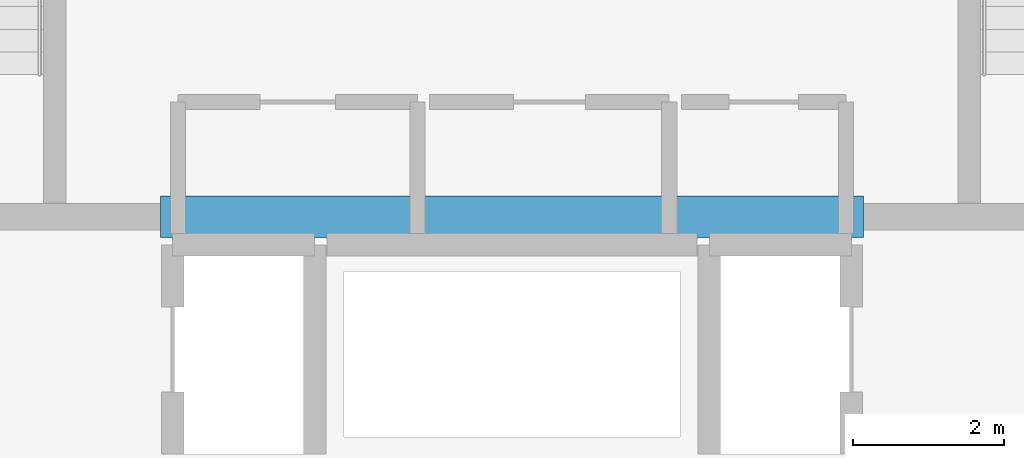
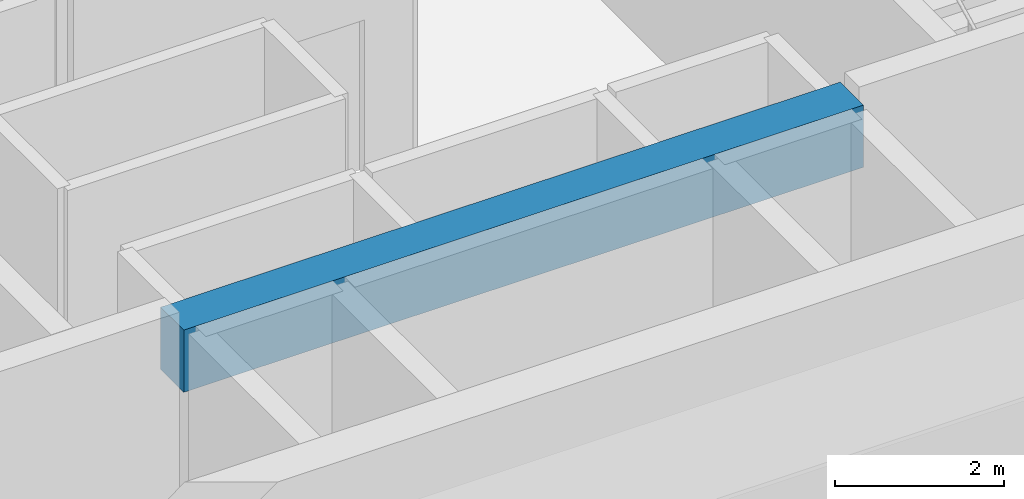
# One storey, part 10 of 41: 1 beam.
"""IFC4 building model written with IfcOpenShell, lengths in metres."""

import ifcopenshell
import ifcopenshell.guid

model = None  # the IFC model being written
_history = None  # IfcOwnerHistory: only IFC2X3 demands one
_inside = {}  # id of a spatial element -> (the spatial element, [elements in it])
_under = {}  # id of a project, library or spatial element -> (it, [spatial elements below it])
_declared = {}  # id of a project -> (the project, [libraries it declares])
_typed = {}  # id of a type object -> (the type object, [elements of that type])
_made_of = {}  # id of a material, layer set ... -> (it, [elements and type objects made of it])


def new_model(schema):
    """Start an empty IFC model of exactly this schema.

    Asked for "IFC4X3", IfcOpenShell would pick the latest addendum, in which some entities
    have other attributes; the version numbers below select the first issue.
    IFC2X3 requires an IfcOwnerHistory on every rooted entity: one is made here for all.
    """
    global model, _history
    if schema == "IFC4X3":
        model = ifcopenshell.file(schema_version=(4, 3, 0, 0))
    else:
        model = ifcopenshell.file(schema=schema)
    _inside.clear()
    _under.clear()
    _declared.clear()
    _typed.clear()
    _made_of.clear()
    _history = None
    if model.schema == "IFC2X3":
        org = make("IfcOrganization", Name="unknown")
        user = make(
            "IfcPersonAndOrganization",
            ThePerson=make("IfcPerson", FamilyName="unknown"),
            TheOrganization=org,
        )
        app = make(
            "IfcApplication",
            ApplicationDeveloper=org,
            Version="unknown",
            ApplicationFullName="unknown",
            ApplicationIdentifier="unknown",
        )
        _history = make(
            "IfcOwnerHistory",
            OwningUser=user,
            OwningApplication=app,
            ChangeAction="ADDED",
            CreationDate=0,
        )
    return model


def make(cls, **values):
    """One entity of the class cls with the attributes given. An attribute that is None is left unset."""
    return model.create_entity(
        cls, **{name: value for name, value in values.items() if value is not None}
    )


def rooted(cls, **values):
    """An entity with a GlobalId (a new one), such as an element, a storey or a relation."""
    return make(cls, GlobalId=ifcopenshell.guid.new(), OwnerHistory=_history, **values)


def si_unit(unit_type, name, prefix=None):
    """IfcSIUnit, for example si_unit("LENGTHUNIT", "METRE", prefix="MILLI")."""
    return make("IfcSIUnit", UnitType=unit_type, Prefix=prefix, Name=name)


def assignment(units):
    """IfcUnitAssignment: the units of a project."""
    return None if units is None else make("IfcUnitAssignment", Units=units)


def point(xyz):
    """IfcCartesianPoint."""
    return None if xyz is None else make("IfcCartesianPoint", Coordinates=xyz)


def direction(xyz):
    """IfcDirection."""
    return None if xyz is None else make("IfcDirection", DirectionRatios=xyz)


def frame(location, z_axis=None, x_axis=None):
    """IfcAxis2Placement3D, a coordinate frame: its origin and axes. An axis left out is left unset."""
    return make(
        "IfcAxis2Placement3D",
        Location=point(location),
        Axis=direction(z_axis),
        RefDirection=direction(x_axis),
    )


def frame_2d(location, x_axis=None):
    """IfcAxis2Placement2D, a coordinate frame in the plane: its origin and x axis."""
    return make(
        "IfcAxis2Placement2D", Location=point(location), RefDirection=direction(x_axis)
    )


def origin():
    """The frame at (0, 0, 0) with its axes left unset."""
    return frame((0.0, 0.0, 0.0))


def origin_2d():
    """The frame at (0, 0) in the plane with its x axis left unset."""
    return frame_2d((0.0, 0.0))


def place(relative_to, where):
    """IfcLocalPlacement: puts the frame where relative to a parent placement (None: the world)."""
    return make(
        "IfcLocalPlacement", PlacementRelTo=relative_to, RelativePlacement=where
    )


def context(
    kind, dimensions, precision=None, world=None, true_north=None, identifier=None
):
    """IfcGeometricRepresentationContext, for example the 3D "Model" context."""
    return make(
        "IfcGeometricRepresentationContext",
        ContextIdentifier=identifier,
        ContextType=kind,
        CoordinateSpaceDimension=dimensions,
        Precision=precision,
        WorldCoordinateSystem=world,
        TrueNorth=true_north,
    )


def subcontext(parent, identifier, kind, view, scale=None):
    """IfcGeometricRepresentationSubContext, for example "Body" below "Model"."""
    return make(
        "IfcGeometricRepresentationSubContext",
        ContextIdentifier=identifier,
        ContextType=kind,
        ParentContext=parent,
        TargetScale=scale,
        TargetView=view,
    )


def project(units=None, contexts=None):
    """IfcProject with its units and contexts."""
    return rooted(
        "IfcProject",
        Name="project",
        RepresentationContexts=contexts,
        UnitsInContext=assignment(units),
    )


def spatial(cls, under=None, at=None, **own):
    """A site, building, storey or space (cls), placed at a placement, below another one or the project."""
    s = rooted(cls, ObjectPlacement=at, **own)
    if under is not None:
        _under.setdefault(under.id(), (under, []))[1].append(s)
    return s


def profile(cls, at=None, kind="AREA", **sizes):
    """A parametric profile (cls). Its sizes go by their IFC names, for example OverallWidth=200.0."""
    return make(cls, ProfileType=kind, Position=at, **sizes)


def rectangle(**sizes):
    """IfcRectangleProfileDef."""
    return profile("IfcRectangleProfileDef", **sizes)


def extrude(swept, where, along, depth):
    """IfcExtrudedAreaSolid: the profile swept, set in the frame where, extruded along a direction by depth."""
    return make(
        "IfcExtrudedAreaSolid",
        SweptArea=swept,
        Position=where,
        ExtrudedDirection=direction(along),
        Depth=depth,
    )


def shape(context_of_items, identifier, shape_type, items):
    """IfcShapeRepresentation: the items that make up one representation, for example the "Body"."""
    return make(
        "IfcShapeRepresentation",
        ContextOfItems=context_of_items,
        RepresentationIdentifier=identifier,
        RepresentationType=shape_type,
        Items=items,
    )


def material(Name=None, Category=None):
    """IfcMaterial."""
    return make("IfcMaterial", Name=Name, Category=Category)


def material_profile(
    of_material, cross_section, Name=None, Category=None, Priority=None
):
    """IfcMaterialProfile: a cross section and its material."""
    return make(
        "IfcMaterialProfile",
        Name=Name,
        Material=of_material,
        Profile=cross_section,
        Priority=Priority,
        Category=Category,
    )


def profile_set(profiles, Name=None, composite=None):
    """IfcMaterialProfileSet."""
    return make(
        "IfcMaterialProfileSet",
        Name=Name,
        MaterialProfiles=profiles,
        CompositeProfile=composite,
    )


def made_of(thing, what):
    """Note that an element or type object is made of a material, layer set ...; save() writes the relation."""
    if what is not None:
        _made_of.setdefault(what.id(), (what, []))[1].append(thing)
    return thing


def type_object(cls, material=None, **own):
    """A type object (cls), such as IfcWallType, which elements share."""
    return made_of(rooted(cls, **own), material)


def element(
    cls,
    number,
    at=None,
    inside=None,
    cuts=None,
    type_object=None,
    material=None,
    context=None,
    identifier="Body",
    shape_type=None,
    held_by="IfcProductDefinitionShape",
    body=None,
    shapes=None,
    **own,
):
    """One element of the class cls, such as IfcWall. Its Tag is "e" and its number.

    at: its placement. inside: the storey or other place that contains it. cuts: it is an
    opening in that element (IfcRelVoidsElement). A single representation is given by context,
    identifier, shape_type and body (its items); several are given by shapes. held_by: the class
    of the entity that holds the representations. save() writes the other relations.
    """
    e = rooted(cls, Tag="e%d" % number, ObjectPlacement=at, **own)
    if body is not None:
        shapes = [shape(context, identifier, shape_type, body)]
    if shapes is not None:
        e.Representation = make(held_by, Representations=shapes)
    if inside is not None:
        _inside.setdefault(inside.id(), (inside, []))[1].append(e)
    if cuts is not None:
        rooted(
            "IfcRelVoidsElement", RelatingBuildingElement=cuts, RelatedOpeningElement=e
        )
    if type_object is not None:
        _typed.setdefault(type_object.id(), (type_object, []))[1].append(e)
    return made_of(e, material)


def aggregate(whole, parts):
    """IfcRelAggregates: a whole, such as a stair, and the parts it consists of."""
    return rooted("IfcRelAggregates", RelatingObject=whole, RelatedObjects=parts)


def save(model, path):
    """Write the relations noted so far, then the file.

    IfcRelAggregates (storeys below a building ...), IfcRelContainedInSpatialStructure (elements
    in a storey), IfcRelDefinesByType, IfcRelAssociatesMaterial and IfcRelDeclares: one each for
    every whole, place, type object, material and project.
    """
    for whole, parts in _under.values():
        aggregate(whole, parts)
    for where, things in _inside.values():
        rooted(
            "IfcRelContainedInSpatialStructure",
            RelatedElements=things,
            RelatingStructure=where,
        )
    for kind, things in _typed.values():
        rooted("IfcRelDefinesByType", RelatedObjects=things, RelatingType=kind)
    for what, things in _made_of.values():
        rooted("IfcRelAssociatesMaterial", RelatedObjects=things, RelatingMaterial=what)
    for by, libraries in _declared.values():
        rooted("IfcRelDeclares", RelatingContext=by, RelatedDefinitions=libraries)
    model.write(path)


model = new_model("IFC4")

# Units and contexts
model_context = context("Model", 3, precision=1e-05, world=origin(), true_north=direction((0.0, 1.0)))
body_context = subcontext(model_context, "Body", "Model", "MODEL_VIEW")
ifc_project = project(units=[si_unit("LENGTHUNIT", "METRE"), si_unit("AREAUNIT", "SQUARE_METRE"), si_unit("VOLUMEUNIT", "CUBIC_METRE"), si_unit("PLANEANGLEUNIT", "RADIAN"), si_unit("MASSUNIT", "GRAM", prefix="KILO")], contexts=[model_context])

# Site, building, storey
site_placement = place(None, origin())
site = spatial("IfcSite", under=ifc_project, at=site_placement, CompositionType="ELEMENT")
building_placement = place(site_placement, origin())
building = spatial("IfcBuilding", under=site, at=building_placement, Name="Punatoya Terracotta Tower", CompositionType="ELEMENT")
storey_placement = place(building_placement, frame((0.0, 0.0, 309.0)))
storey = spatial("IfcBuildingStorey", under=building, at=storey_placement, Name="L73", CompositionType="ELEMENT", Elevation=309.0)

# Beam
ifc_material = material(Name="Concrete C50/60", Category="concrete")
ifc_material_profile = material_profile(ifc_material, rectangle(XDim=0.550048828125, YDim=0.89990234375, at=origin_2d()))
ifc_profile_set = profile_set([ifc_material_profile], Name="Concrete C50/60")
beam_type = type_object("IfcBeamType", Name="BM-RC-900", PredefinedType="LINTEL", material=ifc_profile_set)
beam_placement = place(storey_placement, frame((-4.64990234375, -5.679931640625, 3.550048828125), z_axis=(1.0, 0.0, 0.0), x_axis=(0.0, 1.0, 0.0)))
element("IfcBeam", 1, at=beam_placement, inside=storey, type_object=beam_type, Name="L73 Core Coupling Lintel CSW", PredefinedType="LINTEL", context=body_context, shape_type="SweptSolid", body=[
    extrude(rectangle(XDim=0.550048828125, YDim=0.89990234375, at=origin_2d()), origin(), (0.0, 0.0, 1.0), 9.2998046875),
])

save(model, "model.ifc")
